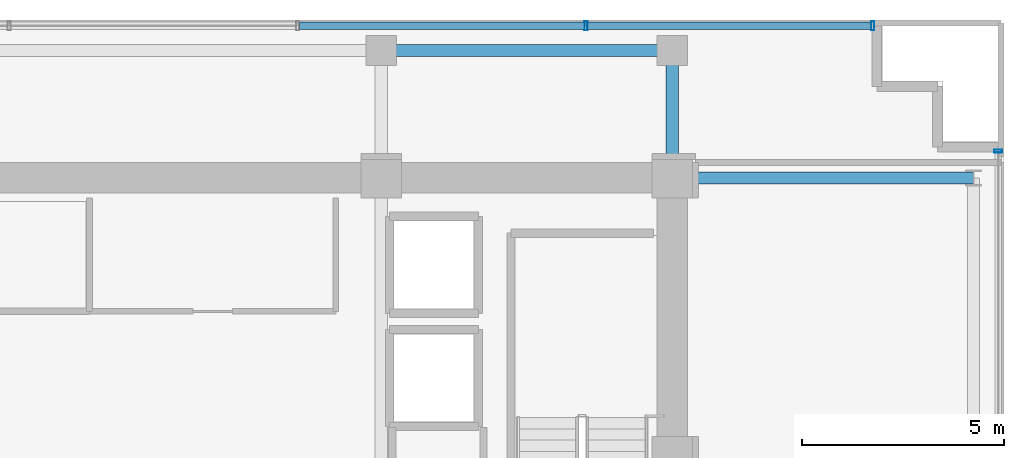
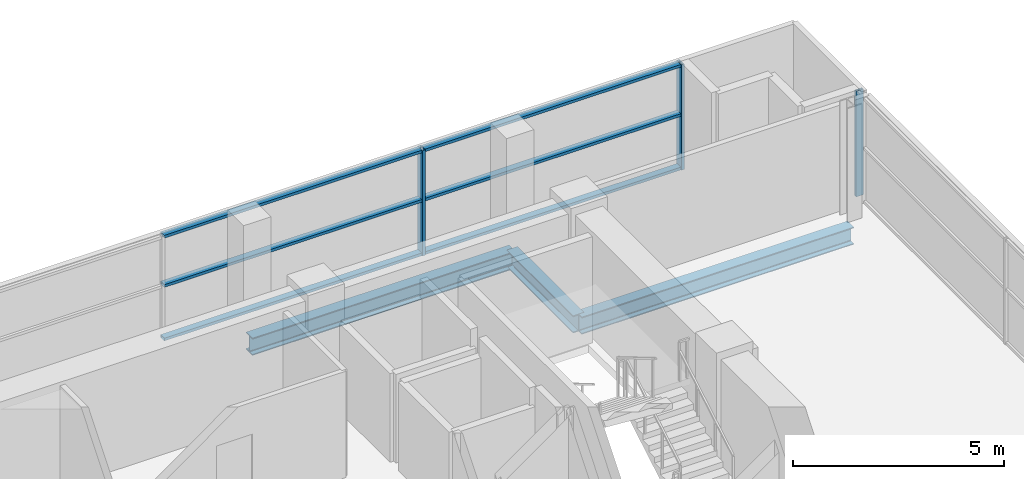
# One storey, part 12 of 21: 9 members, 3 beams, 2 elements without a shape of their own.
"""IFC4 building model written with IfcOpenShell, lengths in metres."""

from ifc_helpers import new_model, si_unit, direction, frame, origin, origin_2d, place, context, subcontext, project, spatial, hollow_rectangle, i_section, extrude, source, transform, mapped, material, layer, layer_set, material_profile, profile_set, type_object, element, aggregate, save


model = new_model("IFC4")

# Units and contexts
model_context = context("Model", 3, precision=1e-05, world=origin(), true_north=direction((0.0, 1.0)))
body_context = subcontext(model_context, "Body", "Model", "MODEL_VIEW")
ifc_project = project(units=[si_unit("LENGTHUNIT", "METRE"), si_unit("AREAUNIT", "SQUARE_METRE"), si_unit("VOLUMEUNIT", "CUBIC_METRE"), si_unit("PLANEANGLEUNIT", "RADIAN"), si_unit("MASSUNIT", "GRAM", prefix="KILO")], contexts=[model_context])

# Site, building, storey
site_placement = place(None, origin())
site = spatial("IfcSite", under=ifc_project, at=site_placement, CompositionType="ELEMENT")
building_placement = place(site_placement, origin())
building = spatial("IfcBuilding", under=site, at=building_placement, Name="Zarnakvel Exchange Tower", CompositionType="ELEMENT")
storey_placement = place(building_placement, frame((0.0, 0.0, 159.39990234375)))
storey = spatial("IfcBuildingStorey", under=building, at=storey_placement, Name="L44", CompositionType="ELEMENT", Elevation=159.39990234375)

# Beams
ifc_material_1 = material(Name="Steel S355", Category="steel")
ifc_material_profile_1 = material_profile(ifc_material_1, i_section(OverallWidth=0.300048828125, OverallDepth=0.5, WebThickness=0.014404296875, FlangeThickness=0.028076171875, FilletRadius=0.027099609375, at=origin_2d()))
ifc_profile_set_1 = profile_set([ifc_material_profile_1], Name="Steel S355")
beam_type_1 = type_object("IfcBeamType", Name="G-06", PredefinedType="BEAM", material=ifc_profile_set_1)
beam_1_placement = place(storey_placement, frame((14.39990234375, 13.5, -0.474853515625), z_axis=(1.0, 0.0, 0.0), x_axis=(0.0, 1.0, 0.0)))
element("IfcBeam", 1, at=beam_1_placement, inside=storey, type_object=beam_type_1, Name="L44 Tower E-W Frame Beam", PredefinedType="BEAM", context=body_context, shape_type="SweptSolid", body=[
    extrude(i_section(OverallWidth=0.300048828125, OverallDepth=0.5, WebThickness=0.014404296875, FlangeThickness=0.028076171875, FilletRadius=0.027099609375, at=origin_2d()), origin(), (0.0, 0.0, 1.0), 7.4501953125),
])
beam_2_placement = place(storey_placement, frame((14.39990234375, 13.5, -0.474853515625), z_axis=(0.0, 1.0, 0.0), x_axis=(-1.0, 0.0, 0.0)))
element("IfcBeam", 2, at=beam_2_placement, inside=storey, type_object=beam_type_1, Name="L44 Tower N-S Frame Beam", PredefinedType="BEAM", context=body_context, shape_type="SweptSolid", body=[
    extrude(i_section(OverallWidth=0.300048828125, OverallDepth=0.5, WebThickness=0.014404296875, FlangeThickness=0.028076171875, FilletRadius=0.027099609375, at=origin_2d()), origin(), (0.0, 0.0, 1.0), 3.14990234375),
])
ifc_material_profile_2 = material_profile(ifc_material_1, i_section(OverallWidth=0.300048828125, OverallDepth=0.5, WebThickness=0.014404296875, FlangeThickness=0.028076171875, FilletRadius=0.027099609375, at=origin_2d()))
ifc_profile_set_2 = profile_set([ifc_material_profile_2], Name="Steel S355")
beam_type_2 = type_object("IfcBeamType", Name="SP-02", PredefinedType="SPANDREL", material=ifc_profile_set_2)
beam_3_placement = place(storey_placement, frame((7.199951171875, 16.64990234375, -0.474853515625), z_axis=(1.0, 0.0, 0.0), x_axis=(0.0, 1.0, 0.0)))
element("IfcBeam", 3, at=beam_3_placement, inside=storey, type_object=beam_type_2, Name="L44 Tower E-W Frame Beam", PredefinedType="SPANDREL", context=body_context, shape_type="SweptSolid", body=[
    extrude(i_section(OverallWidth=0.300048828125, OverallDepth=0.5, WebThickness=0.014404296875, FlangeThickness=0.028076171875, FilletRadius=0.027099609375, at=origin_2d()), origin(), (0.0, 0.0, 1.0), 7.199951171875),
])

# Curtain wall, member
ifc_material_2 = material(Name="Architectural Bronze Anodised Aluminium", Category="aluminium")
ifc_layer_1 = layer(ifc_material_2, 0.199951171875)
ifc_layer_set_1 = layer_set([ifc_layer_1], Name="Architectural Bronze Anodised Aluminium")
curtain_wall_type_1 = type_object("IfcCurtainWallType", Name="CW-04", PredefinedType="NOTDEFINED", material=ifc_layer_set_1)
curtain_wall_1_placement = place(storey_placement, origin())
curtain_wall_1 = element("IfcCurtainWall", 4, at=curtain_wall_1_placement, inside=storey, type_object=curtain_wall_type_1, Name="L44 Curtain Wall CW-L44-E1 (CW-04)", PredefinedType="NOTDEFINED")
ifc_material_profile_3 = material_profile(ifc_material_2, hollow_rectangle(XDim=0.199951171875, YDim=0.074951171875, WallThickness=0.0048828125, at=origin_2d()))
ifc_profile_set_3 = profile_set([ifc_material_profile_3], Name="Architectural Bronze Anodised Aluminium")
member_type_1 = type_object("IfcMemberType", Name="CWM-04", PredefinedType="MULLION", material=ifc_profile_set_3)
shared_shape_1 = source(origin(), body_context, "Body", "SweptSolid", [
    extrude(hollow_rectangle(XDim=0.199951171875, YDim=0.074951171875, WallThickness=0.0048828125, at=origin_2d()), origin(), (0.0, 0.0, 1.0), 3.05517578125),
])
member_1_placement = place(storey_placement, frame((22.4599609375, 14.16259765625, 0.0), z_axis=(0.0, 0.0, 1.0), x_axis=(-1.0, 0.0, 0.0)))
member_1 = element("IfcMember", 5, at=member_1_placement, type_object=member_type_1, Name="CW-04 mullion 5", PredefinedType="MULLION", context=body_context, shape_type="MappedRepresentation", body=[
    mapped(shared_shape_1, transform((0.0, 0.0, 0.0), x_axis=(1.0, 0.0, 0.0), y_axis=(0.0, 1.0, 0.0), z_axis=(0.0, 0.0, 1.0), scale=1.0)),
])
aggregate(curtain_wall_1, [member_1])

# Curtain wall, members
ifc_layer_2 = layer(ifc_material_2, 0.219970703125)
ifc_layer_set_2 = layer_set([ifc_layer_2], Name="Architectural Bronze Anodised Aluminium")
curtain_wall_type_2 = type_object("IfcCurtainWallType", Name="CW-03", PredefinedType="NOTDEFINED", material=ifc_layer_set_2)
curtain_wall_2_placement = place(storey_placement, origin())
curtain_wall_2 = element("IfcCurtainWall", 6, at=curtain_wall_2_placement, inside=storey, type_object=curtain_wall_type_2, Name="L44 Curtain Wall CW-L44-N1 (CW-03)", PredefinedType="NOTDEFINED")
ifc_material_profile_4 = material_profile(ifc_material_2, hollow_rectangle(XDim=0.179931640625, YDim=0.080078125, WallThickness=0.00390625, at=origin_2d()))
ifc_profile_set_4 = profile_set([ifc_material_profile_4], Name="Architectural Bronze Anodised Aluminium")
member_type_2 = type_object("IfcMemberType", Name="CWT-03", PredefinedType="USERDEFINED", material=ifc_profile_set_4)
shared_shape_2 = source(origin(), body_context, "Body", "SweptSolid", [
    extrude(hollow_rectangle(XDim=0.179931640625, YDim=0.080078125, WallThickness=0.00390625, at=origin_2d()), origin(), (0.0, 0.0, 1.0), 7.013427734375),
])
member_2_placement = place(storey_placement, frame((12.306640625, 17.260009765625, 0.0400390625), z_axis=(1.0, 0.0, 0.0), x_axis=(0.0, 1.0, 0.0)))
member_2 = element("IfcMember", 7, at=member_2_placement, type_object=member_type_2, Name="CW-03 transom 6.1", ObjectType="TRANSOM", PredefinedType="USERDEFINED", context=body_context, shape_type="MappedRepresentation", body=[
    mapped(shared_shape_2, transform((0.0, 0.0, 0.0), x_axis=(1.0, 0.0, 0.0), y_axis=(0.0, 1.0, 0.0), z_axis=(0.0, 0.0, 1.0), scale=1.0)),
])
member_3_placement = place(storey_placement, frame((12.306640625, 17.260009765625, 1.588623046875), z_axis=(1.0, 0.0, 0.0), x_axis=(0.0, 1.0, 0.0)))
member_3 = element("IfcMember", 8, at=member_3_placement, type_object=member_type_2, Name="CW-03 transom 6.2", ObjectType="TRANSOM", PredefinedType="USERDEFINED", context=body_context, shape_type="MappedRepresentation", body=[
    mapped(shared_shape_2, transform((0.0, 0.0, 0.0), x_axis=(1.0, 0.0, 0.0), y_axis=(0.0, 1.0, 0.0), z_axis=(0.0, 0.0, 1.0), scale=1.0)),
])
member_4_placement = place(storey_placement, frame((12.306640625, 17.260009765625, 3.01513671875), z_axis=(1.0, 0.0, 0.0), x_axis=(0.0, 1.0, 0.0)))
member_4 = element("IfcMember", 9, at=member_4_placement, type_object=member_type_2, Name="CW-03 transom 6.3", ObjectType="TRANSOM", PredefinedType="USERDEFINED", context=body_context, shape_type="MappedRepresentation", body=[
    mapped(shared_shape_2, transform((0.0, 0.0, 0.0), x_axis=(1.0, 0.0, 0.0), y_axis=(0.0, 1.0, 0.0), z_axis=(0.0, 0.0, 1.0), scale=1.0)),
])
shared_shape_3 = source(origin(), body_context, "Body", "SweptSolid", [
    extrude(hollow_rectangle(XDim=0.179931640625, YDim=0.080078125, WallThickness=0.00390625, at=origin_2d()), origin(), (0.0, 0.0, 1.0), 7.05322265625),
])
member_5_placement = place(storey_placement, frame((5.17333984375, 17.260009765625, 0.0400390625), z_axis=(1.0, 0.0, 0.0), x_axis=(0.0, 1.0, 0.0)))
member_5 = element("IfcMember", 10, at=member_5_placement, type_object=member_type_2, Name="CW-03 transom 5.1", ObjectType="TRANSOM", PredefinedType="USERDEFINED", context=body_context, shape_type="MappedRepresentation", body=[
    mapped(shared_shape_3, transform((0.0, 0.0, 0.0), x_axis=(1.0, 0.0, 0.0), y_axis=(0.0, 1.0, 0.0), z_axis=(0.0, 0.0, 1.0), scale=1.0)),
])
member_6_placement = place(storey_placement, frame((5.17333984375, 17.260009765625, 1.588623046875), z_axis=(1.0, 0.0, 0.0), x_axis=(0.0, 1.0, 0.0)))
member_6 = element("IfcMember", 11, at=member_6_placement, type_object=member_type_2, Name="CW-03 transom 5.2", ObjectType="TRANSOM", PredefinedType="USERDEFINED", context=body_context, shape_type="MappedRepresentation", body=[
    mapped(shared_shape_3, transform((0.0, 0.0, 0.0), x_axis=(1.0, 0.0, 0.0), y_axis=(0.0, 1.0, 0.0), z_axis=(0.0, 0.0, 1.0), scale=1.0)),
])
member_7_placement = place(storey_placement, frame((5.17333984375, 17.260009765625, 3.01513671875), z_axis=(1.0, 0.0, 0.0), x_axis=(0.0, 1.0, 0.0)))
member_7 = element("IfcMember", 12, at=member_7_placement, type_object=member_type_2, Name="CW-03 transom 5.3", ObjectType="TRANSOM", PredefinedType="USERDEFINED", context=body_context, shape_type="MappedRepresentation", body=[
    mapped(shared_shape_3, transform((0.0, 0.0, 0.0), x_axis=(1.0, 0.0, 0.0), y_axis=(0.0, 1.0, 0.0), z_axis=(0.0, 0.0, 1.0), scale=1.0)),
])
ifc_material_profile_5 = material_profile(ifc_material_2, hollow_rectangle(XDim=0.219970703125, YDim=0.080078125, WallThickness=0.0048828125, at=origin_2d()))
ifc_profile_set_5 = profile_set([ifc_material_profile_5], Name="Architectural Bronze Anodised Aluminium")
member_type_3 = type_object("IfcMemberType", Name="CWM-03", PredefinedType="MULLION", material=ifc_profile_set_5)
shared_shape_4 = source(origin(), body_context, "Body", "SweptSolid", [
    extrude(hollow_rectangle(XDim=0.219970703125, YDim=0.080078125, WallThickness=0.0048828125, at=origin_2d()), origin(), (0.0, 0.0, 1.0), 3.05517578125),
])
member_8_placement = place(storey_placement, frame((12.2666015625, 17.260009765625, 0.0), z_axis=(0.0, 0.0, 1.0), x_axis=(0.0, 1.0, 0.0)))
member_8 = element("IfcMember", 13, at=member_8_placement, type_object=member_type_3, Name="CW-03 mullion 6", PredefinedType="MULLION", context=body_context, shape_type="MappedRepresentation", body=[
    mapped(shared_shape_4, transform((0.0, 0.0, 0.0), x_axis=(1.0, 0.0, 0.0), y_axis=(0.0, 1.0, 0.0), z_axis=(0.0, 0.0, 1.0), scale=1.0)),
])
member_9_placement = place(storey_placement, frame((19.360107421875, 17.260009765625, 0.0), z_axis=(0.0, 0.0, 1.0), x_axis=(0.0, 1.0, 0.0)))
member_9 = element("IfcMember", 14, at=member_9_placement, type_object=member_type_3, Name="CW-03 mullion 7", PredefinedType="MULLION", context=body_context, shape_type="MappedRepresentation", body=[
    mapped(shared_shape_4, transform((0.0, 0.0, 0.0), x_axis=(1.0, 0.0, 0.0), y_axis=(0.0, 1.0, 0.0), z_axis=(0.0, 0.0, 1.0), scale=1.0)),
])
aggregate(curtain_wall_2, [member_8, member_9, member_5, member_6, member_7, member_2, member_3, member_4])

save(model, "model.ifc")
